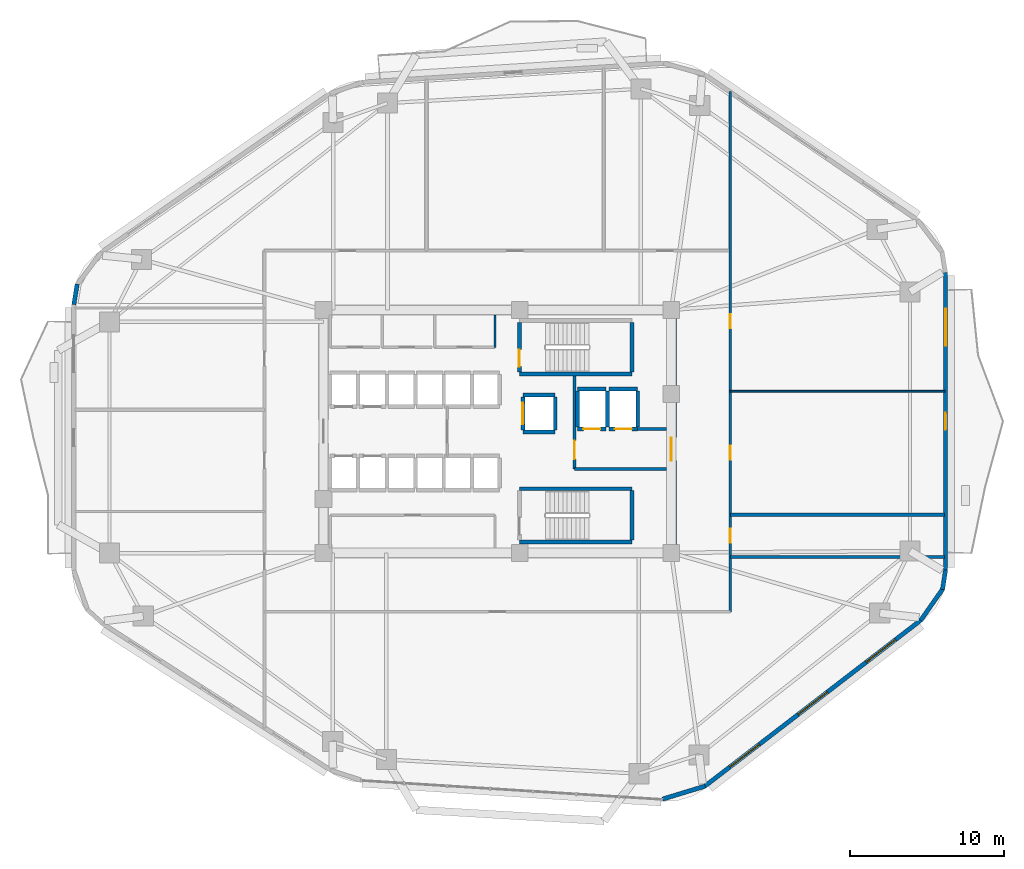
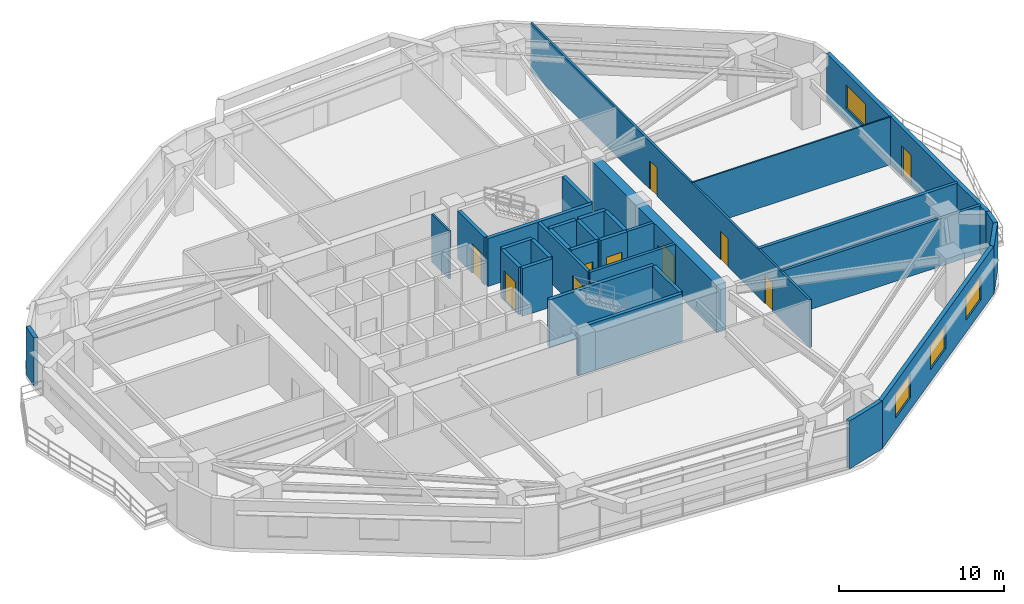
# One storey, part 9 of 13: 32 walls, 10 doors, 4 windows, 14 openings.
"""IFC4 building model written with IfcOpenShell, lengths in metres."""

from ifc_helpers import new_model, si_unit, direction, frame, frame_2d, origin, place, context, subcontext, project, spatial, rectangle, extrude, material, layer, layer_set, type_object, element, fill, save


model = new_model("IFC4")

# Units and contexts
model_context = context("Model", 3, precision=1e-05, world=origin(), true_north=direction((0.0, 1.0)))
body_context = subcontext(model_context, "Body", "Model", "MODEL_VIEW")
ifc_project = project(units=[si_unit("LENGTHUNIT", "METRE"), si_unit("AREAUNIT", "SQUARE_METRE"), si_unit("VOLUMEUNIT", "CUBIC_METRE"), si_unit("PLANEANGLEUNIT", "RADIAN"), si_unit("MASSUNIT", "GRAM", prefix="KILO")], contexts=[model_context])

# Site, building, storey
site_placement = place(None, origin())
site = spatial("IfcSite", under=ifc_project, at=site_placement, CompositionType="ELEMENT")
building_placement = place(site_placement, origin())
building = spatial("IfcBuilding", under=site, at=building_placement, Name="Zulverin Broadcast Headquarters", CompositionType="ELEMENT")
storey_placement = place(building_placement, frame((0.0, 0.0, 47.800048828125)))
storey = spatial("IfcBuildingStorey", under=building, at=storey_placement, Name="L11", CompositionType="ELEMENT", Elevation=47.800048828125)

# Walls
ifc_material_1 = material(Name="Acoustic drywall steel stud", Category="steel")
ifc_layer_1 = layer(ifc_material_1, 0.199951171875, Name="Acoustic drywall steel stud", Category="steel")
ifc_layer_set_1 = layer_set([ifc_layer_1], Name="Acoustic drywall steel stud")
wall_type_1 = type_object("IfcWallType", Name="WL-ACOU-200", PredefinedType="PARTITIONING", material=ifc_layer_set_1)
wall_1_placement = place(storey_placement, frame((52.10009765625, 17.050048828125, 0.0), z_axis=(0.0, 0.0, 1.0), x_axis=(1.0, 0.0, 0.0)))
element("IfcWall", 1, at=wall_1_placement, inside=storey, type_object=wall_type_1, Name="L11 Room Partition Wall RP-06", PredefinedType="PARTITIONING", context=body_context, shape_type="SweptSolid", body=[
    extrude(rectangle(XDim=13.89501953125, YDim=0.199951171875, at=frame_2d((6.947509765625, 0.0))), origin(), (0.0, 0.0, 1.0), 3.52490234375),
])
ifc_material_2 = material(Name="Double-stud acoustic drywall", Category="gypsum")
ifc_layer_2 = layer(ifc_material_2, 0.219970703125, Name="Double-stud acoustic drywall", Category="gypsum")
ifc_layer_set_2 = layer_set([ifc_layer_2], Name="Double-stud acoustic drywall")
wall_type_2 = type_object("IfcWallType", Name="WL-ACOU-220", PredefinedType="PARTITIONING", material=ifc_layer_set_2)
wall_2_placement = place(storey_placement, frame((52.10009765625, 19.800048828125, 0.0), z_axis=(0.0, 0.0, 1.0), x_axis=(1.0, 0.0, 0.0)))
element("IfcWall", 2, at=wall_2_placement, inside=storey, type_object=wall_type_2, Name="L11 Room Partition Wall RP-07", PredefinedType="PARTITIONING", context=body_context, shape_type="SweptSolid", body=[
    extrude(rectangle(XDim=13.89501953125, YDim=0.219970703125, at=frame_2d((6.947509765625, 0.0))), origin(), (0.0, 0.0, 1.0), 3.52490234375),
])

# Wall, opening, door
ifc_material_3 = material(Name="Concrete C60/75", Category="concrete")
ifc_layer_3 = layer(ifc_material_3, 0.64990234375, Name="Concrete C60/75", Category="concrete")
ifc_layer_set_3 = layer_set([ifc_layer_3], Name="Concrete C60/75")
wall_type_3 = type_object("IfcWallType", Name="WL-CORE-650", PredefinedType="SHEAR", material=ifc_layer_set_3)
wall_3_placement = place(storey_placement, frame((48.27490234375, 17.64990234375, 0.0), z_axis=(0.0, 0.0, 1.0), x_axis=(0.0, 1.0, 0.0)))
wall_3 = element("IfcWall", 3, at=wall_3_placement, inside=storey, type_object=wall_type_3, Name="L11 Core East Shear Wall", PredefinedType="SHEAR", context=body_context, shape_type="SweptSolid", body=[
    extrude(rectangle(XDim=15.10009765625, YDim=0.64990234375, at=frame_2d((7.550048828125, 0.0))), origin(), (0.0, 0.0, 1.0), 3.52490234375),
])
opening_1_placement = place(wall_3_placement, frame((5.64990234375, 0.0, 0.0)))
opening_1 = element("IfcOpeningElement", 4, at=opening_1_placement, cuts=wall_3, Name="Opening D-L11-CE1", PredefinedType="OPENING", context=body_context, shape_type="SweptSolid", body=[
    extrude(rectangle(XDim=1.5, YDim=2.14990234375, at=frame_2d((0.75, 1.074951171875))), frame((0.0, 0.3349609375, 0.0), z_axis=(0.0, -1.0, 0.0), x_axis=(1.0, 0.0, 0.0)), (0.0, 0.0, 1.0), 0.669921875),
])
ifc_material_4 = material(Name="Fire-rated glazed steel frame", Category="steel")
door_type_1 = type_object("IfcDoorType", Name="DR-COR-1500", OperationType="DOUBLE_DOOR_SINGLE_SWING", PredefinedType="DOOR", material=ifc_material_4)
door_1_placement = place(opening_1_placement, origin())
door_1 = element("IfcDoor", 5, at=door_1_placement, inside=storey, type_object=door_type_1, Name="L11 Firefighting Lobby East Corridor Door", OperationType="DOUBLE_DOOR_SINGLE_SWING", OverallHeight=2.14990234375, OverallWidth=1.5, PredefinedType="DOOR", context=body_context, shape_type="SweptSolid", body=[
    extrude(rectangle(XDim=1.5, YDim=2.14990234375, at=frame_2d((0.75, 1.074951171875))), frame((0.0, 0.02490234375, 0.0), z_axis=(0.0, -1.0, 0.0), x_axis=(1.0, 0.0, 0.0)), (0.0, 0.0, 1.0), 0.050048828125),
])
fill(opening_1, door_1)

# Wall, openings, windows
ifc_material_5 = material(Name="Insulated pale-metal clad concrete spandrel C40/50", Category="concrete")
ifc_layer_4 = layer(ifc_material_5, 0.280029296875, Name="Insulated pale-metal clad concrete spandrel C40/50", Category="concrete")
ifc_layer_set_4 = layer_set([ifc_layer_4], Name="Insulated pale-metal clad concrete spandrel C40/50")
wall_type_4 = type_object("IfcWallType", Name="WL-EXT-280", PredefinedType="STANDARD", material=ifc_layer_set_4)
wall_4_placement = place(storey_placement, frame((50.4287109375, 2.171630859375, 0.0), z_axis=(0.0, 0.0, 1.0), x_axis=(0.792937466367, 0.609303023488, 0.0)))
wall_4 = element("IfcWall", 6, at=wall_4_placement, inside=storey, type_object=wall_type_4, Name="L11 Pale-Metal Clad Spandrel Wall 2", PredefinedType="STANDARD", context=body_context, shape_type="SweptSolid", body=[
    extrude(rectangle(XDim=17.712890625, YDim=0.280029296875, at=frame_2d((8.8564453125, 0.0))), origin(), (0.0, 0.0, 1.0), 3.52490234375),
])
opening_2_placement = place(wall_4_placement, frame((2.08544921875, 0.0, 0.89990234375)))
opening_2 = element("IfcOpeningElement", 7, at=opening_2_placement, cuts=wall_4, Name="Opening W-L11-E21", PredefinedType="OPENING", context=body_context, shape_type="SweptSolid", body=[
    extrude(rectangle(XDim=2.39990234375, YDim=1.75, at=frame_2d((1.199951171875, 0.875))), frame((0.0, 0.14990234375, 0.0), z_axis=(0.0, -1.0, 0.0), x_axis=(1.0, 0.0, 0.0)), (0.0, 0.0, 1.0), 0.300048828125),
])
opening_3_placement = place(wall_4_placement, frame((7.656494140625, 0.0, 0.89990234375)))
opening_3 = element("IfcOpeningElement", 8, at=opening_3_placement, cuts=wall_4, Name="Opening W-L11-E22", PredefinedType="OPENING", context=body_context, shape_type="SweptSolid", body=[
    extrude(rectangle(XDim=2.39990234375, YDim=1.75, at=frame_2d((1.199951171875, 0.875))), frame((0.0, 0.14990234375, 0.0), z_axis=(0.0, -1.0, 0.0), x_axis=(1.0, 0.0, 0.0)), (0.0, 0.0, 1.0), 0.300048828125),
])
opening_4_placement = place(wall_4_placement, frame((13.227294921875, 0.0, 0.89990234375)))
opening_4 = element("IfcOpeningElement", 9, at=opening_4_placement, cuts=wall_4, Name="Opening W-L11-E23", PredefinedType="OPENING", context=body_context, shape_type="SweptSolid", body=[
    extrude(rectangle(XDim=2.39990234375, YDim=1.75, at=frame_2d((1.199951171875, 0.875))), frame((0.0, 0.14990234375, 0.0), z_axis=(0.0, -1.0, 0.0), x_axis=(1.0, 0.0, 0.0)), (0.0, 0.0, 1.0), 0.300048828125),
])
ifc_material_6 = material(Name="Pale anodized aluminium frame with solar-control low-E double glazing", Category="aluminium")
window_type = type_object("IfcWindowType", Name="WIN-RIB-2400", PartitioningType="SINGLE_PANEL", PredefinedType="WINDOW", material=ifc_material_6)
window_1_placement = place(opening_2_placement, origin())
window_1 = element("IfcWindow", 10, at=window_1_placement, inside=storey, type_object=window_type, Name="L11 Ribbon Glazing Window 2 1", OverallHeight=1.75, OverallWidth=2.39990234375, PartitioningType="SINGLE_PANEL", PredefinedType="WINDOW", context=body_context, shape_type="SweptSolid", body=[
    extrude(rectangle(XDim=2.39990234375, YDim=1.75, at=frame_2d((1.199951171875, 0.875))), frame((0.0, 0.030029296875, 0.0), z_axis=(0.0, -1.0, 0.0), x_axis=(1.0, 0.0, 0.0)), (0.0, 0.0, 1.0), 0.06005859375),
])
fill(opening_2, window_1)
window_2_placement = place(opening_3_placement, origin())
window_2 = element("IfcWindow", 11, at=window_2_placement, inside=storey, type_object=window_type, Name="L11 Ribbon Glazing Window 2 2", OverallHeight=1.75, OverallWidth=2.39990234375, PartitioningType="SINGLE_PANEL", PredefinedType="WINDOW", context=body_context, shape_type="SweptSolid", body=[
    extrude(rectangle(XDim=2.39990234375, YDim=1.75, at=frame_2d((1.199951171875, 0.875))), frame((0.0, 0.030029296875, 0.0), z_axis=(0.0, -1.0, 0.0), x_axis=(1.0, 0.0, 0.0)), (0.0, 0.0, 1.0), 0.06005859375),
])
fill(opening_3, window_2)
window_3_placement = place(opening_4_placement, origin())
window_3 = element("IfcWindow", 12, at=window_3_placement, inside=storey, type_object=window_type, Name="L11 Ribbon Glazing Window 2 3", OverallHeight=1.75, OverallWidth=2.39990234375, PartitioningType="SINGLE_PANEL", PredefinedType="WINDOW", context=body_context, shape_type="SweptSolid", body=[
    extrude(rectangle(XDim=2.39990234375, YDim=1.75, at=frame_2d((1.199951171875, 0.875))), frame((0.0, 0.030029296875, 0.0), z_axis=(0.0, -1.0, 0.0), x_axis=(1.0, 0.0, 0.0)), (0.0, 0.0, 1.0), 0.06005859375),
])
fill(opening_4, window_3)

# Wall, openings, door, window
wall_5_placement = place(storey_placement, frame((66.06005859375, 16.183349609375, 0.0), z_axis=(0.0, 0.0, 1.0), x_axis=(0.0, 1.0, 0.0)))
wall_5 = element("IfcWall", 13, at=wall_5_placement, inside=storey, type_object=wall_type_4, Name="L11 Pale-Metal Clad Spandrel Wall 3", PredefinedType="STANDARD", context=body_context, shape_type="SweptSolid", body=[
    extrude(rectangle(XDim=19.3310546875, YDim=0.280029296875, at=frame_2d((9.66552734375, 0.0))), origin(), (0.0, 0.0, 1.0), 3.52490234375),
])
opening_5_placement = place(wall_5_placement, frame((9.115478515625, 0.0, 0.0)))
opening_5 = element("IfcOpeningElement", 14, at=opening_5_placement, cuts=wall_5, Name="Opening D-L11-TR3", PredefinedType="OPENING", context=body_context, shape_type="SweptSolid", body=[
    extrude(rectangle(XDim=1.10009765625, YDim=2.199951171875, at=frame_2d((0.550048828125, 1.10009765625))), frame((0.0, 0.14990234375, 0.0), z_axis=(0.0, -1.0, 0.0), x_axis=(1.0, 0.0, 0.0)), (0.0, 0.0, 1.0), 0.300048828125),
])
opening_6_placement = place(wall_5_placement, frame((14.575927734375, 0.0, 0.89990234375)))
opening_6 = element("IfcOpeningElement", 15, at=opening_6_placement, cuts=wall_5, Name="Opening W-L11-E31", PredefinedType="OPENING", context=body_context, shape_type="SweptSolid", body=[
    extrude(rectangle(XDim=2.39990234375, YDim=1.75, at=frame_2d((1.199951171875, 0.875))), frame((0.0, 0.14990234375, 0.0), z_axis=(0.0, -1.0, 0.0), x_axis=(1.0, 0.0, 0.0)), (0.0, 0.0, 1.0), 0.300048828125),
])
ifc_material_7 = material(Name="Thermally broken aluminium glazed", Category="aluminium")
door_type_2 = type_object("IfcDoorType", Name="DR-TERR-1100", OperationType="SINGLE_SWING_RIGHT", PredefinedType="DOOR", material=ifc_material_7)
door_2_placement = place(opening_5_placement, origin())
door_2 = element("IfcDoor", 16, at=door_2_placement, inside=storey, type_object=door_type_2, Name="L11 Planted Terrace Glazed Access Door 3", OperationType="SINGLE_SWING_RIGHT", OverallHeight=2.199951171875, OverallWidth=1.10009765625, PredefinedType="DOOR", context=body_context, shape_type="SweptSolid", body=[
    extrude(rectangle(XDim=1.10009765625, YDim=2.199951171875, at=frame_2d((0.550048828125, 1.10009765625))), frame((0.0, 0.02490234375, 0.0), z_axis=(0.0, -1.0, 0.0), x_axis=(1.0, 0.0, 0.0)), (0.0, 0.0, 1.0), 0.050048828125),
])
fill(opening_5, door_2)
window_4_placement = place(opening_6_placement, origin())
window_4 = element("IfcWindow", 17, at=window_4_placement, inside=storey, type_object=window_type, Name="L11 Ribbon Glazing Window 3 1", OverallHeight=1.75, OverallWidth=2.39990234375, PartitioningType="SINGLE_PANEL", PredefinedType="WINDOW", context=body_context, shape_type="SweptSolid", body=[
    extrude(rectangle(XDim=2.39990234375, YDim=1.75, at=frame_2d((1.199951171875, 0.875))), frame((0.0, 0.030029296875, 0.0), z_axis=(0.0, -1.0, 0.0), x_axis=(1.0, 0.0, 0.0)), (0.0, 0.0, 1.0), 0.06005859375),
])
fill(opening_6, window_4)

# Walls
wall_6_placement = place(storey_placement, frame((47.7119140625, 1.35205078125, 0.0), z_axis=(0.0, 0.0, 1.0), x_axis=(0.956465727645, 0.291844670743, 0.0)))
element("IfcWall", 18, at=wall_6_placement, inside=storey, type_object=wall_type_4, Name="L11 Wind-Shaped Corner Spandrel Wall 1-1", PredefinedType="STANDARD", context=body_context, shape_type="SweptSolid", body=[
    extrude(rectangle(XDim=2.886962890625, YDim=0.280029296875, at=frame_2d((1.443359375, 0.0))), origin(), (0.0, 0.0, 1.0), 3.52490234375),
])
wall_7_placement = place(storey_placement, frame((64.4443359375, 12.933349609375, 0.0), z_axis=(0.0, 0.0, 1.0), x_axis=(0.573176686443, 0.819431806875, 0.0)))
element("IfcWall", 19, at=wall_7_placement, inside=storey, type_object=wall_type_4, Name="L11 Wind-Shaped Corner Spandrel Wall 2-1", PredefinedType="STANDARD", context=body_context, shape_type="SweptSolid", body=[
    extrude(rectangle(XDim=2.524169921875, YDim=0.280029296875, at=frame_2d((1.26220703125, 0.0))), origin(), (0.0, 0.0, 1.0), 3.52490234375),
])
wall_8_placement = place(storey_placement, frame((65.867431640625, 14.942626953125, 0.0), z_axis=(0.0, 0.0, 1.0), x_axis=(0.152014078361, 0.988378328364, 0.0)))
element("IfcWall", 20, at=wall_8_placement, inside=storey, type_object=wall_type_4, Name="L11 Wind-Shaped Corner Spandrel Wall 2-2", PredefinedType="STANDARD", context=body_context, shape_type="SweptSolid", body=[
    extrude(rectangle(XDim=1.27685546875, YDim=0.280029296875, at=frame_2d((0.638427734375, 0.0))), origin(), (0.0, 0.0, 1.0), 3.52490234375),
])
wall_9_placement = place(storey_placement, frame((9.753173828125, 34.748779296875, 0.0), z_axis=(0.0, 0.0, 1.0), x_axis=(-0.160037671962, -0.987110907423, 0.0)))
element("IfcWall", 21, at=wall_9_placement, inside=storey, type_object=wall_type_4, Name="L11 Wind-Shaped Corner Spandrel Wall 6-2", PredefinedType="STANDARD", context=body_context, shape_type="SweptSolid", body=[
    extrude(rectangle(XDim=1.343994140625, YDim=0.280029296875, at=frame_2d((0.671875, 0.0))), origin(), (0.0, 0.0, 1.0), 3.52490234375),
])

# Wall, opening, door
ifc_material_8 = material(Name="Concrete C40/50", Category="concrete")
ifc_layer_5 = layer(ifc_material_8, 0.199951171875, Name="Concrete C40/50", Category="concrete")
ifc_layer_set_5 = layer_set([ifc_layer_5], Name="Concrete C40/50")
wall_type_5 = type_object("IfcWallType", Name="WL-FFL-200", PredefinedType="SOLIDWALL", material=ifc_layer_set_5)
wall_10_placement = place(storey_placement, frame((42.0, 22.75, 0.0), z_axis=(0.0, 0.0, 1.0), x_axis=(0.0, 1.0, 0.0)))
wall_10 = element("IfcWall", 22, at=wall_10_placement, inside=storey, type_object=wall_type_5, Name="L11 Firefighting Lift Lobby West Wall", PredefinedType="SOLIDWALL", context=body_context, shape_type="SweptSolid", body=[
    extrude(rectangle(XDim=6.050048828125, YDim=0.199951171875, at=frame_2d((3.02490234375, 0.0))), origin(), (0.0, 0.0, 1.0), 3.52490234375),
])
opening_7_placement = place(wall_10_placement, frame((0.64990234375, 0.0, 0.0)))
opening_7 = element("IfcOpeningElement", 23, at=opening_7_placement, cuts=wall_10, Name="Opening D-L11-FFLW", PredefinedType="OPENING", context=body_context, shape_type="SweptSolid", body=[
    extrude(rectangle(XDim=1.199951171875, YDim=2.14990234375, at=frame_2d((0.60009765625, 1.074951171875))), frame((0.0, 0.10986328125, 0.0), z_axis=(0.0, -1.0, 0.0), x_axis=(1.0, 0.0, 0.0)), (0.0, 0.0, 1.0), 0.219970703125),
])
ifc_material_9 = material(Name="Fire-rated steel leaf and frame", Category="steel")
door_type_3 = type_object("IfcDoorType", Name="DR-FFL-1200", OperationType="SINGLE_SWING_RIGHT", PredefinedType="DOOR", material=ifc_material_9)
door_3_placement = place(opening_7_placement, origin())
door_3 = element("IfcDoor", 24, at=door_3_placement, inside=storey, type_object=door_type_3, Name="L11 Firefighting Lift Lobby Door", OperationType="SINGLE_SWING_RIGHT", OverallHeight=2.14990234375, OverallWidth=1.199951171875, PredefinedType="DOOR", context=body_context, shape_type="SweptSolid", body=[
    extrude(rectangle(XDim=1.199951171875, YDim=2.14990234375, at=frame_2d((0.60009765625, 1.074951171875))), frame((0.0, 0.02490234375, 0.0), z_axis=(0.0, -1.0, 0.0), x_axis=(1.0, 0.0, 0.0)), (0.0, 0.0, 1.0), 0.050048828125),
])
fill(opening_7, door_3)

# Walls
wall_11_placement = place(storey_placement, frame((42.0, 22.75, 0.0), z_axis=(0.0, 0.0, 1.0), x_axis=(1.0, 0.0, 0.0)))
element("IfcWall", 25, at=wall_11_placement, inside=storey, type_object=wall_type_5, Name="L11 Firefighting Lift Lobby South Wall", PredefinedType="SOLIDWALL", context=body_context, shape_type="SweptSolid", body=[
    extrude(rectangle(XDim=5.949951171875, YDim=0.199951171875, at=frame_2d((2.97509765625, 0.0))), origin(), (0.0, 0.0, 1.0), 3.52490234375),
])
wall_12_placement = place(storey_placement, frame((46.10009765625, 25.35009765625, 0.0), z_axis=(0.0, 0.0, 1.0), x_axis=(1.0, 0.0, 0.0)))
element("IfcWall", 26, at=wall_12_placement, inside=storey, type_object=wall_type_5, Name="L11 Firefighting Lift Lobby North Wall", PredefinedType="SOLIDWALL", context=body_context, shape_type="SweptSolid", body=[
    extrude(rectangle(XDim=1.849853515625, YDim=0.199951171875, at=frame_2d((0.9248046875, 0.0))), origin(), (0.0, 0.0, 1.0), 3.52490234375),
])
ifc_material_10 = material(Name="Fire-rated acoustic laminated glass screen", Category="glass")
ifc_layer_6 = layer(ifc_material_10, 0.10009765625, Name="Fire-rated acoustic laminated glass screen", Category="glass")
ifc_layer_set_6 = layer_set([ifc_layer_6], Name="Fire-rated acoustic laminated glass screen")
wall_type_6 = type_object("IfcWallType", Name="WL-GLAZ-100", PredefinedType="PARTITIONING", material=ifc_layer_set_6)
wall_13_placement = place(storey_placement, frame((52.10009765625, 27.800048828125, 0.0), z_axis=(0.0, 0.0, 1.0), x_axis=(1.0, 0.0, 0.0)))
element("IfcWall", 27, at=wall_13_placement, inside=storey, type_object=wall_type_6, Name="L11 Room Partition Wall RP-10", PredefinedType="PARTITIONING", context=body_context, shape_type="SweptSolid", body=[
    extrude(rectangle(XDim=13.89501953125, YDim=0.10009765625, at=frame_2d((6.947509765625, 0.0))), origin(), (0.0, 0.0, 1.0), 3.52490234375),
])
ifc_material_11 = material(Name="Fire-rated gypsum stud partition", Category="gypsum")
ifc_layer_7 = layer(ifc_material_11, 0.14990234375, Name="Fire-rated gypsum stud partition", Category="gypsum")
ifc_layer_set_7 = layer_set([ifc_layer_7], Name="Fire-rated gypsum stud partition")
wall_type_7 = type_object("IfcWallType", Name="WL-PART-150", PredefinedType="PARTITIONING", material=ifc_layer_set_7)
wall_14_placement = place(storey_placement, frame((36.85009765625, 30.64990234375, 0.0), z_axis=(0.0, 0.0, 1.0), x_axis=(0.0, 1.0, 0.0)))
element("IfcWall", 28, at=wall_14_placement, inside=storey, type_object=wall_type_7, Name="L11 Core Electrical Switch Riser East Wall", PredefinedType="PARTITIONING", context=body_context, shape_type="SweptSolid", body=[
    extrude(rectangle(XDim=2.10009765625, YDim=0.14990234375, at=frame_2d((1.050048828125, 0.0))), origin(), (0.0, 0.0, 1.0), 3.52490234375),
])

# Wall, openings, doors
wall_15_placement = place(storey_placement, frame((52.10009765625, 13.5, 0.0), z_axis=(0.0, 0.0, 1.0), x_axis=(0.0, 1.0, 0.0)))
wall_15 = element("IfcWall", 29, at=wall_15_placement, inside=storey, type_object=wall_type_7, Name="L11 Gallery Partition Wall CG-01", PredefinedType="PARTITIONING", context=body_context, shape_type="SweptSolid", body=[
    extrude(rectangle(XDim=33.722900390625, YDim=0.14990234375, at=frame_2d((16.861328125, 0.0))), origin(), (0.0, 0.0, 1.0), 3.52490234375),
])
opening_8_placement = place(wall_15_placement, frame((4.47509765625, 0.0, 0.0)))
opening_8 = element("IfcOpeningElement", 30, at=opening_8_placement, cuts=wall_15, Name="Opening D-L11-08", PredefinedType="OPENING", context=body_context, shape_type="SweptSolid", body=[
    extrude(rectangle(XDim=0.89990234375, YDim=2.10009765625, at=frame_2d((0.449951171875, 1.050048828125))), frame((0.0, 0.0849609375, 0.0), z_axis=(0.0, -1.0, 0.0), x_axis=(1.0, 0.0, 0.0)), (0.0, 0.0, 1.0), 0.169921875),
])
opening_9_placement = place(wall_15_placement, frame((9.85009765625, 0.0, 0.0)))
opening_9 = element("IfcOpeningElement", 31, at=opening_9_placement, cuts=wall_15, Name="Opening D-L11-09", PredefinedType="OPENING", context=body_context, shape_type="SweptSolid", body=[
    extrude(rectangle(XDim=0.89990234375, YDim=2.10009765625, at=frame_2d((0.449951171875, 1.050048828125))), frame((0.0, 0.0849609375, 0.0), z_axis=(0.0, -1.0, 0.0), x_axis=(1.0, 0.0, 0.0)), (0.0, 0.0, 1.0), 0.169921875),
])
opening_10_placement = place(wall_15_placement, frame((18.39990234375, 0.0, 0.0)))
opening_10 = element("IfcOpeningElement", 32, at=opening_10_placement, cuts=wall_15, Name="Opening D-L11-10", PredefinedType="OPENING", context=body_context, shape_type="SweptSolid", body=[
    extrude(rectangle(XDim=0.89990234375, YDim=2.10009765625, at=frame_2d((0.449951171875, 1.050048828125))), frame((0.0, 0.0849609375, 0.0), z_axis=(0.0, -1.0, 0.0), x_axis=(1.0, 0.0, 0.0)), (0.0, 0.0, 1.0), 0.169921875),
])
ifc_material_12 = material(Name="Fire-rated hardwood veneer timber leaf", Category="wood")
door_type_4 = type_object("IfcDoorType", Name="DR-ROOM-900", OperationType="SINGLE_SWING_RIGHT", PredefinedType="DOOR", material=ifc_material_12)
door_4_placement = place(opening_8_placement, origin())
door_4 = element("IfcDoor", 33, at=door_4_placement, inside=storey, type_object=door_type_4, Name="L11 Archive Library Door", OperationType="SINGLE_SWING_LEFT", OverallHeight=2.10009765625, OverallWidth=0.89990234375, PredefinedType="DOOR", context=body_context, shape_type="SweptSolid", body=[
    extrude(rectangle(XDim=0.89990234375, YDim=2.10009765625, at=frame_2d((0.449951171875, 1.050048828125))), frame((0.0, 0.02490234375, 0.0), z_axis=(0.0, -1.0, 0.0), x_axis=(1.0, 0.0, 0.0)), (0.0, 0.0, 1.0), 0.050048828125),
])
fill(opening_8, door_4)
door_5_placement = place(opening_9_placement, origin())
door_5 = element("IfcDoor", 34, at=door_5_placement, inside=storey, type_object=door_type_4, Name="L11 Staff Cafe Door", OperationType="SINGLE_SWING_RIGHT", OverallHeight=2.10009765625, OverallWidth=0.89990234375, PredefinedType="DOOR", context=body_context, shape_type="SweptSolid", body=[
    extrude(rectangle(XDim=0.89990234375, YDim=2.10009765625, at=frame_2d((0.449951171875, 1.050048828125))), frame((0.0, 0.02490234375, 0.0), z_axis=(0.0, -1.0, 0.0), x_axis=(1.0, 0.0, 0.0)), (0.0, 0.0, 1.0), 0.050048828125),
])
fill(opening_9, door_5)
door_6_placement = place(opening_10_placement, origin())
door_6 = element("IfcDoor", 35, at=door_6_placement, inside=storey, type_object=door_type_4, Name="L11 Tea Pantry Door", OperationType="SINGLE_SWING_LEFT", OverallHeight=2.10009765625, OverallWidth=0.89990234375, PredefinedType="DOOR", context=body_context, shape_type="SweptSolid", body=[
    extrude(rectangle(XDim=0.89990234375, YDim=2.10009765625, at=frame_2d((0.449951171875, 1.050048828125))), frame((0.0, 0.02490234375, 0.0), z_axis=(0.0, -1.0, 0.0), x_axis=(1.0, 0.0, 0.0)), (0.0, 0.0, 1.0), 0.050048828125),
])
fill(opening_10, door_6)

# Wall
ifc_material_13 = material(Name="Concrete C50/60", Category="concrete")
ifc_layer_8 = layer(ifc_material_13, 0.25, Name="Concrete C50/60", Category="concrete")
ifc_layer_set_8 = layer_set([ifc_layer_8], Name="Concrete C50/60")
wall_type_8 = type_object("IfcWallType", Name="WL-SHAFT-250", PredefinedType="SHEAR", material=ifc_layer_set_8)
wall_16_placement = place(storey_placement, frame((38.425048828125, 28.925048828125, 0.0), z_axis=(0.0, 0.0, 1.0), x_axis=(1.0, 0.0, 0.0)))
element("IfcWall", 36, at=wall_16_placement, inside=storey, type_object=wall_type_8, Name="L11 ST-1 Enclosure Wall S", PredefinedType="SHEAR", context=body_context, shape_type="SweptSolid", body=[
    extrude(rectangle(XDim=7.300048828125, YDim=0.25, at=frame_2d((3.64990234375, 0.0))), origin(), (0.0, 0.0, 1.0), 3.52490234375),
])

# Wall, opening, door
wall_17_placement = place(storey_placement, frame((38.425048828125, 29.050048828125, 0.0), z_axis=(0.0, 0.0, 1.0), x_axis=(0.0, 1.0, 0.0)))
wall_17 = element("IfcWall", 37, at=wall_17_placement, inside=storey, type_object=wall_type_8, Name="L11 ST-1 Enclosure Wall W", PredefinedType="SHEAR", context=body_context, shape_type="SweptSolid", body=[
    extrude(rectangle(XDim=3.199951171875, YDim=0.25, at=frame_2d((1.60009765625, 0.0))), origin(), (0.0, 0.0, 1.0), 3.52490234375),
])
opening_11_placement = place(wall_17_placement, frame((0.35009765625, 0.0, 0.0)))
opening_11 = element("IfcOpeningElement", 38, at=opening_11_placement, cuts=wall_17, Name="Opening D-L11-ST-1", PredefinedType="OPENING", context=body_context, shape_type="SweptSolid", body=[
    extrude(rectangle(XDim=1.10009765625, YDim=2.14990234375, at=frame_2d((0.550048828125, 1.074951171875))), frame((0.0, 0.135009765625, 0.0), z_axis=(0.0, -1.0, 0.0), x_axis=(1.0, 0.0, 0.0)), (0.0, 0.0, 1.0), 0.27001953125),
])
door_type_5 = type_object("IfcDoorType", Name="DR-STAIR-1100", OperationType="SINGLE_SWING_LEFT", PredefinedType="DOOR", material=ifc_material_9)
door_7_placement = place(opening_11_placement, origin())
door_7 = element("IfcDoor", 39, at=door_7_placement, inside=storey, type_object=door_type_5, Name="L11 Exit Stair ST-1 Fire Door", OperationType="SINGLE_SWING_LEFT", OverallHeight=2.14990234375, OverallWidth=1.10009765625, PredefinedType="DOOR", context=body_context, shape_type="SweptSolid", body=[
    extrude(rectangle(XDim=1.10009765625, YDim=2.14990234375, at=frame_2d((0.550048828125, 1.074951171875))), frame((0.0, 0.02490234375, 0.0), z_axis=(0.0, -1.0, 0.0), x_axis=(1.0, 0.0, 0.0)), (0.0, 0.0, 1.0), 0.050048828125),
])
fill(opening_11, door_7)

# Walls
wall_18_placement = place(storey_placement, frame((45.72509765625, 29.050048828125, 0.0), z_axis=(0.0, 0.0, 1.0), x_axis=(0.0, 1.0, 0.0)))
element("IfcWall", 40, at=wall_18_placement, inside=storey, type_object=wall_type_8, Name="L11 ST-1 Enclosure Wall E", PredefinedType="SHEAR", context=body_context, shape_type="SweptSolid", body=[
    extrude(rectangle(XDim=3.199951171875, YDim=0.25, at=frame_2d((1.60009765625, 0.0))), origin(), (0.0, 0.0, 1.0), 3.52490234375),
])
for number, where, z_axis, x_axis, name in (
    (41, (38.425048828125, 18.02490234375, 0.0), (0.0, 0.0, 1.0), (1.0, 0.0, 0.0), "L11 ST-2 Enclosure Wall S"),
    (42, (38.425048828125, 21.47509765625, 0.0), (0.0, 0.0, 1.0), (1.0, 0.0, 0.0), "L11 ST-2 Enclosure Wall N"),
):
    element("IfcWall", number, at=place(storey_placement, frame(where, z_axis=z_axis, x_axis=x_axis)), inside=storey, type_object=wall_type_8, Name=name, PredefinedType="SHEAR", context=body_context, shape_type="SweptSolid", body=[
        extrude(rectangle(XDim=7.300048828125, YDim=0.25, at=frame_2d((3.64990234375, 0.0))), origin(), (0.0, 0.0, 1.0), 3.52490234375),
    ])
wall_19_placement = place(storey_placement, frame((45.72509765625, 18.14990234375, 0.0), z_axis=(0.0, 0.0, 1.0), x_axis=(0.0, 1.0, 0.0)))
element("IfcWall", 43, at=wall_19_placement, inside=storey, type_object=wall_type_8, Name="L11 ST-2 Enclosure Wall E", PredefinedType="SHEAR", context=body_context, shape_type="SweptSolid", body=[
    extrude(rectangle(XDim=3.2001953125, YDim=0.25, at=frame_2d((1.60009765625, 0.0))), origin(), (0.0, 0.0, 1.0), 3.52490234375),
])

# Wall, opening, door
wall_20_placement = place(storey_placement, frame((42.199951171875, 25.35009765625, 0.0), z_axis=(0.0, 0.0, 1.0), x_axis=(1.0, 0.0, 0.0)))
wall_20 = element("IfcWall", 44, at=wall_20_placement, inside=storey, type_object=wall_type_8, Name="L11 Lift FFL-1 Shaft Wall S", PredefinedType="SHEAR", context=body_context, shape_type="SweptSolid", body=[
    extrude(rectangle(XDim=1.85009765625, YDim=0.25, at=frame_2d((0.925048828125, 0.0))), origin(), (0.0, 0.0, 1.0), 3.52490234375),
])
opening_12_placement = place(wall_20_placement, frame((0.375, 0.0, 0.0)))
opening_12 = element("IfcOpeningElement", 45, at=opening_12_placement, cuts=wall_20, Name="Opening LD-FFL-1-L11", PredefinedType="OPENING", context=body_context, shape_type="SweptSolid", body=[
    extrude(rectangle(XDim=1.10009765625, YDim=2.14990234375, at=frame_2d((0.550048828125, 1.074951171875))), frame((0.0, 0.135009765625, 0.0), z_axis=(0.0, -1.0, 0.0), x_axis=(1.0, 0.0, 0.0)), (0.0, 0.0, 1.0), 0.27001953125),
])
ifc_material_14 = material(Name="Fire-rated stainless landing door", Category="steel")
door_type_6 = type_object("IfcDoorType", Name="LD-FFL-1100", OperationType="DOUBLE_DOOR_SLIDING", PredefinedType="DOOR", material=ifc_material_14)
door_8_placement = place(opening_12_placement, origin())
door_8 = element("IfcDoor", 46, at=door_8_placement, inside=storey, type_object=door_type_6, Name="L11 Lift FFL-1 Sliding Landing Door", OperationType="DOUBLE_DOOR_SLIDING", OverallHeight=2.14990234375, OverallWidth=1.10009765625, PredefinedType="DOOR", context=body_context, shape_type="SweptSolid", body=[
    extrude(rectangle(XDim=1.10009765625, YDim=2.14990234375, at=frame_2d((0.550048828125, 1.074951171875))), frame((0.0, 0.02490234375, 0.0), z_axis=(0.0, -1.0, 0.0), x_axis=(1.0, 0.0, 0.0)), (0.0, 0.0, 1.0), 0.050048828125),
])
fill(opening_12, door_8)

# Walls
wall_21_placement = place(storey_placement, frame((42.199951171875, 27.949951171875, 0.0), z_axis=(0.0, 0.0, 1.0), x_axis=(1.0, 0.0, 0.0)))
element("IfcWall", 47, at=wall_21_placement, inside=storey, type_object=wall_type_8, Name="L11 Lift FFL-1 Shaft Wall N", PredefinedType="SHEAR", context=body_context, shape_type="SweptSolid", body=[
    extrude(rectangle(XDim=1.85009765625, YDim=0.25, at=frame_2d((0.925048828125, 0.0))), origin(), (0.0, 0.0, 1.0), 3.52490234375),
])
for number, where, z_axis, x_axis, name in (
    (48, (42.199951171875, 25.469970703125, 0.0), (0.0, 0.0, 1.0), (0.0, 1.0, 0.0), "L11 Lift FFL-1 Shaft Wall W"),
    (49, (44.14990234375, 25.469970703125, 0.0), (0.0, 0.0, 1.0), (0.0, 1.0, 0.0), "L11 Lift FFL-1 Shaft Wall E"),
):
    element("IfcWall", number, at=place(storey_placement, frame(where, z_axis=z_axis, x_axis=x_axis)), inside=storey, type_object=wall_type_8, Name=name, PredefinedType="SHEAR", context=body_context, shape_type="SweptSolid", body=[
        extrude(rectangle(XDim=2.360107421875, YDim=0.25, at=frame_2d((1.18017578125, 0.0))), origin(), (0.0, 0.0, 1.0), 3.52490234375),
    ])

# Wall, opening, door
wall_22_placement = place(storey_placement, frame((44.25, 25.35009765625, 0.0), z_axis=(0.0, 0.0, 1.0), x_axis=(1.0, 0.0, 0.0)))
wall_22 = element("IfcWall", 50, at=wall_22_placement, inside=storey, type_object=wall_type_8, Name="L11 Lift FFL-2 Shaft Wall S", PredefinedType="SHEAR", context=body_context, shape_type="SweptSolid", body=[
    extrude(rectangle(XDim=1.85009765625, YDim=0.25, at=frame_2d((0.925048828125, 0.0))), origin(), (0.0, 0.0, 1.0), 3.52490234375),
])
opening_13_placement = place(wall_22_placement, frame((0.375, 0.0, 0.0)))
opening_13 = element("IfcOpeningElement", 51, at=opening_13_placement, cuts=wall_22, Name="Opening LD-FFL-2-L11", PredefinedType="OPENING", context=body_context, shape_type="SweptSolid", body=[
    extrude(rectangle(XDim=1.10009765625, YDim=2.14990234375, at=frame_2d((0.550048828125, 1.074951171875))), frame((0.0, 0.135009765625, 0.0), z_axis=(0.0, -1.0, 0.0), x_axis=(1.0, 0.0, 0.0)), (0.0, 0.0, 1.0), 0.27001953125),
])
door_9_placement = place(opening_13_placement, origin())
door_9 = element("IfcDoor", 52, at=door_9_placement, inside=storey, type_object=door_type_6, Name="L11 Lift FFL-2 Sliding Landing Door", OperationType="DOUBLE_DOOR_SLIDING", OverallHeight=2.14990234375, OverallWidth=1.10009765625, PredefinedType="DOOR", context=body_context, shape_type="SweptSolid", body=[
    extrude(rectangle(XDim=1.10009765625, YDim=2.14990234375, at=frame_2d((0.550048828125, 1.074951171875))), frame((0.0, 0.02490234375, 0.0), z_axis=(0.0, -1.0, 0.0), x_axis=(1.0, 0.0, 0.0)), (0.0, 0.0, 1.0), 0.050048828125),
])
fill(opening_13, door_9)

# Walls
wall_23_placement = place(storey_placement, frame((44.25, 27.949951171875, 0.0), z_axis=(0.0, 0.0, 1.0), x_axis=(1.0, 0.0, 0.0)))
element("IfcWall", 53, at=wall_23_placement, inside=storey, type_object=wall_type_8, Name="L11 Lift FFL-2 Shaft Wall N", PredefinedType="SHEAR", context=body_context, shape_type="SweptSolid", body=[
    extrude(rectangle(XDim=1.85009765625, YDim=0.25, at=frame_2d((0.925048828125, 0.0))), origin(), (0.0, 0.0, 1.0), 3.52490234375),
])
wall_24_placement = place(storey_placement, frame((46.10009765625, 25.469970703125, 0.0), z_axis=(0.0, 0.0, 1.0), x_axis=(0.0, 1.0, 0.0)))
element("IfcWall", 54, at=wall_24_placement, inside=storey, type_object=wall_type_8, Name="L11 Lift FFL-2 Shaft Wall E", PredefinedType="SHEAR", context=body_context, shape_type="SweptSolid", body=[
    extrude(rectangle(XDim=2.360107421875, YDim=0.25, at=frame_2d((1.18017578125, 0.0))), origin(), (0.0, 0.0, 1.0), 3.52490234375),
])
for number, where, z_axis, x_axis, name in (
    (55, (38.64990234375, 25.14990234375, 0.0), (0.0, 0.0, 1.0), (1.0, 0.0, 0.0), "L11 Lift SVL-1 Shaft Wall S"),
    (56, (38.64990234375, 27.550048828125, 0.0), (0.0, 0.0, 1.0), (1.0, 0.0, 0.0), "L11 Lift SVL-1 Shaft Wall N"),
):
    element("IfcWall", number, at=place(storey_placement, frame(where, z_axis=z_axis, x_axis=x_axis)), inside=storey, type_object=wall_type_8, Name=name, PredefinedType="SHEAR", context=body_context, shape_type="SweptSolid", body=[
        extrude(rectangle(XDim=2.10009765625, YDim=0.25, at=frame_2d((1.050048828125, 0.0))), origin(), (0.0, 0.0, 1.0), 3.52490234375),
    ])

# Wall, opening, door
wall_25_placement = place(storey_placement, frame((38.64990234375, 25.27001953125, 0.0), z_axis=(0.0, 0.0, 1.0), x_axis=(0.0, 1.0, 0.0)))
wall_25 = element("IfcWall", 57, at=wall_25_placement, inside=storey, type_object=wall_type_8, Name="L11 Lift SVL-1 Shaft Wall W", PredefinedType="SHEAR", context=body_context, shape_type="SweptSolid", body=[
    extrude(rectangle(XDim=2.159912109375, YDim=0.25, at=frame_2d((1.080078125, 0.0))), origin(), (0.0, 0.0, 1.0), 3.52490234375),
])
opening_14_placement = place(wall_25_placement, frame((0.3798828125, 0.0, 0.0)))
opening_14 = element("IfcOpeningElement", 58, at=opening_14_placement, cuts=wall_25, Name="Opening LD-SVL-1-L11", PredefinedType="OPENING", context=body_context, shape_type="SweptSolid", body=[
    extrude(rectangle(XDim=1.39990234375, YDim=2.199951171875, at=frame_2d((0.699951171875, 1.10009765625))), frame((0.0, 0.135009765625, 0.0), z_axis=(0.0, -1.0, 0.0), x_axis=(1.0, 0.0, 0.0)), (0.0, 0.0, 1.0), 0.27001953125),
])
ifc_material_15 = material(Name="Heavy-duty stainless landing door", Category="steel")
door_type_7 = type_object("IfcDoorType", Name="LD-GOODS-1400", OperationType="DOUBLE_DOOR_SLIDING", PredefinedType="DOOR", material=ifc_material_15)
door_10_placement = place(opening_14_placement, origin())
door_10 = element("IfcDoor", 59, at=door_10_placement, inside=storey, type_object=door_type_7, Name="L11 Lift SVL-1 Sliding Landing Door", OperationType="DOUBLE_DOOR_SLIDING", OverallHeight=2.199951171875, OverallWidth=1.39990234375, PredefinedType="DOOR", context=body_context, shape_type="SweptSolid", body=[
    extrude(rectangle(XDim=1.39990234375, YDim=2.199951171875, at=frame_2d((0.699951171875, 1.10009765625))), frame((0.0, 0.02490234375, 0.0), z_axis=(0.0, -1.0, 0.0), x_axis=(1.0, 0.0, 0.0)), (0.0, 0.0, 1.0), 0.050048828125),
])
fill(opening_14, door_10)

# Wall
wall_26_placement = place(storey_placement, frame((40.75, 25.27001953125, 0.0), z_axis=(0.0, 0.0, 1.0), x_axis=(0.0, 1.0, 0.0)))
element("IfcWall", 60, at=wall_26_placement, inside=storey, type_object=wall_type_8, Name="L11 Lift SVL-1 Shaft Wall E", PredefinedType="SHEAR", context=body_context, shape_type="SweptSolid", body=[
    extrude(rectangle(XDim=2.159912109375, YDim=0.25, at=frame_2d((1.080078125, 0.0))), origin(), (0.0, 0.0, 1.0), 3.52490234375),
])

save(model, "model.ifc")
